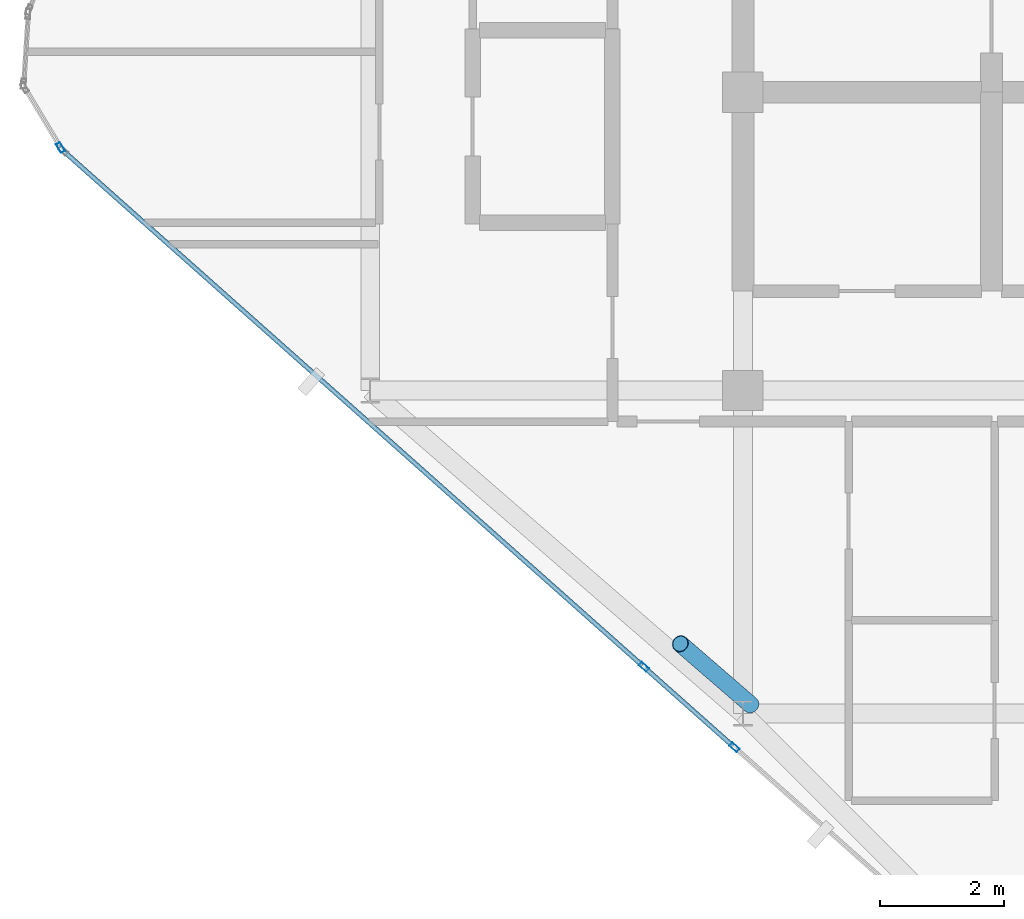
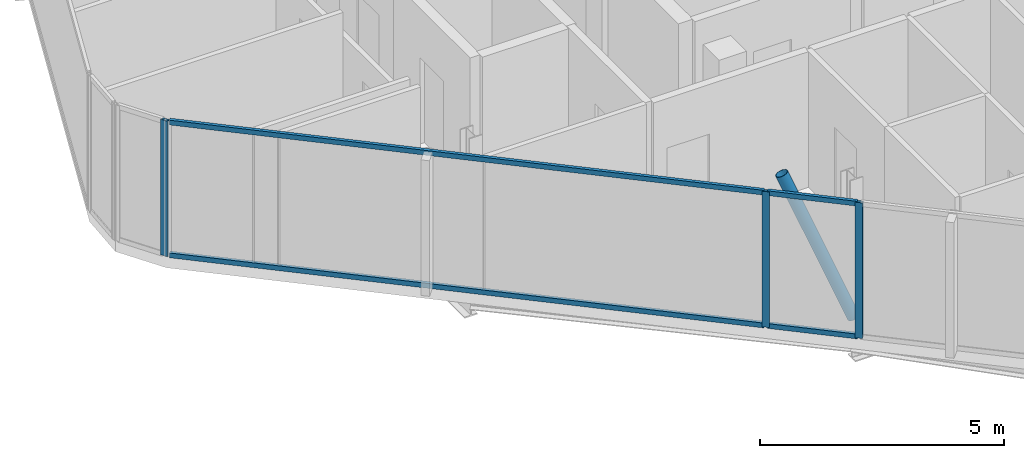
# One storey, part 3 of 28: 8 members, 4 elements without a shape of their own.
"""IFC4 building model written with IfcOpenShell, lengths in metres."""

from ifc_helpers import new_model, si_unit, direction, frame, origin, origin_2d, place, context, subcontext, project, spatial, hollow_rectangle, hollow_circle, extrude, material, layer, layer_set, material_profile, profile_set, type_object, element, aggregate, save


model = new_model("IFC4")

# Units and contexts
model_context = context("Model", 3, precision=1e-05, world=origin(), true_north=direction((0.0, 1.0)))
body_context = subcontext(model_context, "Body", "Model", "MODEL_VIEW")
ifc_project = project(units=[si_unit("LENGTHUNIT", "METRE"), si_unit("AREAUNIT", "SQUARE_METRE"), si_unit("VOLUMEUNIT", "CUBIC_METRE"), si_unit("PLANEANGLEUNIT", "RADIAN"), si_unit("MASSUNIT", "GRAM", prefix="KILO")], contexts=[model_context])

# Site, building, storey
site_placement = place(None, origin())
site = spatial("IfcSite", under=ifc_project, at=site_placement, CompositionType="ELEMENT")
building_placement = place(site_placement, origin())
building = spatial("IfcBuilding", under=site, at=building_placement, Name="Keshet Zoharim Tower", CompositionType="ELEMENT")
storey_placement = place(building_placement, frame((0.0, 0.0, 303.60009765625)))
storey = spatial("IfcBuildingStorey", under=building, at=storey_placement, Name="L76", CompositionType="ELEMENT", Elevation=303.60009765625)

# Curtain wall, member
ifc_material_1 = material(Name="Aluminium 6063-T6", Category="aluminium")
ifc_layer = layer(ifc_material_1, 0.260009765625)
ifc_layer_set = layer_set([ifc_layer], Name="Aluminium 6063-T6")
curtain_wall_type = type_object("IfcCurtainWallType", Name="CW-SYS-06", PredefinedType="NOTDEFINED", material=ifc_layer_set)
curtain_wall_1_placement = place(storey_placement, origin())
curtain_wall_1 = element("IfcCurtainWall", 1, at=curtain_wall_1_placement, inside=storey, type_object=curtain_wall_type, Name="L76 Unitised Curtain Wall 01", PredefinedType="NOTDEFINED")
ifc_material_profile_1 = material_profile(ifc_material_1, hollow_rectangle(XDim=0.074951171875, YDim=0.159912109375, WallThickness=0.00390625, at=origin_2d()), Name="MUL-75x160")
ifc_profile_set_1 = profile_set([ifc_material_profile_1], Name="Aluminium 6063-T6")
member_type_1 = type_object("IfcMemberType", Name="CWM-M15", PredefinedType="MULLION", material=ifc_profile_set_1)
member_1_placement = place(storey_placement, frame((4.016845703125, 21.81005859375, 0.0), z_axis=(0.0, 0.0, 1.0), x_axis=(-0.856826433805, -0.515604947933, 0.0)))
member_1 = element("IfcMember", 2, at=member_1_placement, type_object=member_type_1, Name="CW-06 mullion 1", PredefinedType="MULLION", context=body_context, shape_type="SweptSolid", body=[
    extrude(hollow_rectangle(XDim=0.074951171875, YDim=0.159912109375, WallThickness=0.00390625, at=origin_2d()), origin(), (0.0, 0.0, 1.0), 3.389892578125),
])
aggregate(curtain_wall_1, [member_1])

curtain_wall_2_placement = place(storey_placement, origin())
curtain_wall_2 = element("IfcCurtainWall", 3, at=curtain_wall_2_placement, inside=storey, type_object=curtain_wall_type, Name="L76 Unitised Curtain Wall 16", PredefinedType="NOTDEFINED")
member_2_placement = place(storey_placement, frame((14.863037109375, 12.155029296875, 0.0), z_axis=(0.0, 0.0, 1.0), x_axis=(-0.664362180559, -0.747410792699, 0.0)))
member_2 = element("IfcMember", 4, at=member_2_placement, type_object=member_type_1, Name="CW-06 mullion 2", PredefinedType="MULLION", context=body_context, shape_type="SweptSolid", body=[
    extrude(hollow_rectangle(XDim=0.074951171875, YDim=0.159912109375, WallThickness=0.00390625, at=origin_2d()), origin(), (0.0, 0.0, 1.0), 3.389892578125),
])
aggregate(curtain_wall_2, [member_2])

# Curtain wall, members
curtain_wall_3_placement = place(storey_placement, origin())
curtain_wall_3 = element("IfcCurtainWall", 5, at=curtain_wall_3_placement, inside=storey, type_object=curtain_wall_type, Name="L76 Unitised Curtain Wall 16 Part 2", PredefinedType="NOTDEFINED")
member_3_placement = place(storey_placement, frame((13.40576171875, 13.450439453125, 0.0), z_axis=(0.0, 0.0, 1.0), x_axis=(-0.664338369143, -0.747431957629, 0.0)))
member_3 = element("IfcMember", 6, at=member_3_placement, type_object=member_type_1, Name="CW-06 mullion 2", PredefinedType="MULLION", context=body_context, shape_type="SweptSolid", body=[
    extrude(hollow_rectangle(XDim=0.074951171875, YDim=0.159912109375, WallThickness=0.00390625, at=origin_2d()), origin(), (0.0, 0.0, 1.0), 3.389892578125),
])
ifc_material_profile_2 = material_profile(ifc_material_1, hollow_rectangle(XDim=0.074951171875, YDim=0.1201171875, WallThickness=0.00390625, at=origin_2d()), Name="TRN-75x120")
ifc_profile_set_2 = profile_set([ifc_material_profile_2], Name="Aluminium 6063-T6")
member_type_2 = type_object("IfcMemberType", Name="CWT-T12", PredefinedType="USERDEFINED", material=ifc_profile_set_2)
member_4_placement = place(storey_placement, frame((14.8369140625, 12.178466796875, 0.034912109375), z_axis=(-0.747452318941, 0.664315460387, 0.0), x_axis=(-0.664315460387, -0.747452318941, 0.0)))
member_4 = element("IfcMember", 7, at=member_4_placement, type_object=member_type_2, Name="CW-06 transom 1.1", ObjectType="TRANSOM", PredefinedType="USERDEFINED", context=body_context, shape_type="SweptSolid", body=[
    extrude(hollow_rectangle(XDim=0.074951171875, YDim=0.1201171875, WallThickness=0.00390625, at=origin_2d()), origin(), (0.0, 0.0, 1.0), 1.87939453125),
])
member_5_placement = place(storey_placement, frame((14.8369140625, 12.178466796875, 3.35498046875), z_axis=(-0.747452318941, 0.664315460387, 0.0), x_axis=(-0.664315460387, -0.747452318941, 0.0)))
member_5 = element("IfcMember", 8, at=member_5_placement, type_object=member_type_2, Name="CW-06 transom 1.2", ObjectType="TRANSOM", PredefinedType="USERDEFINED", context=body_context, shape_type="SweptSolid", body=[
    extrude(hollow_rectangle(XDim=0.074951171875, YDim=0.1201171875, WallThickness=0.00390625, at=origin_2d()), origin(), (0.0, 0.0, 1.0), 1.87939453125),
])
aggregate(curtain_wall_3, [member_3, member_4, member_5])

curtain_wall_4_placement = place(storey_placement, origin())
curtain_wall_4 = element("IfcCurtainWall", 9, at=curtain_wall_4_placement, inside=storey, type_object=curtain_wall_type, Name="L76 Unitised Curtain Wall 16 Part 3", PredefinedType="NOTDEFINED")
member_6_placement = place(storey_placement, frame((13.379638671875, 13.4736328125, 0.034912109375), z_axis=(-0.747409318684, 0.66436383883, 0.0), x_axis=(-0.66436383883, -0.747409318684, 0.0)))
member_6 = element("IfcMember", 10, at=member_6_placement, type_object=member_type_2, Name="CW-06 transom 1.1", ObjectType="TRANSOM", PredefinedType="USERDEFINED", context=body_context, shape_type="SweptSolid", body=[
    extrude(hollow_rectangle(XDim=0.074951171875, YDim=0.1201171875, WallThickness=0.00390625, at=origin_2d()), origin(), (0.0, 0.0, 1.0), 12.4326171875),
])
member_7_placement = place(storey_placement, frame((13.379638671875, 13.4736328125, 3.35498046875), z_axis=(-0.747409318684, 0.66436383883, 0.0), x_axis=(-0.66436383883, -0.747409318684, 0.0)))
member_7 = element("IfcMember", 11, at=member_7_placement, type_object=member_type_2, Name="CW-06 transom 1.2", ObjectType="TRANSOM", PredefinedType="USERDEFINED", context=body_context, shape_type="SweptSolid", body=[
    extrude(hollow_rectangle(XDim=0.074951171875, YDim=0.1201171875, WallThickness=0.00390625, at=origin_2d()), origin(), (0.0, 0.0, 1.0), 12.4326171875),
])
aggregate(curtain_wall_4, [member_6, member_7])

# Member
ifc_material_2 = material(Name="Steel S355", Category="steel")
ifc_material_profile_3 = material_profile(ifc_material_2, hollow_circle(Radius=0.136474609375, WallThickness=0.010009765625, at=origin_2d()), Name="CHS273x10")
ifc_profile_set_3 = profile_set([ifc_material_profile_3], Name="Steel S355")
member_type_3 = type_object("IfcMemberType", Name="MB-BR-C273", PredefinedType="BRACE", material=ifc_profile_set_3)
member_8_placement = place(storey_placement, frame((15.1259765625, 12.842041015625, 0.0), z_axis=(-0.305919508672, 0.264888754334, 0.914465528077), x_axis=(-0.654589683411, -0.755984355904, 0.0)))
element("IfcMember", 12, at=member_8_placement, inside=storey, type_object=member_type_3, Name="L76 Perimeter Tube Brace 01", PredefinedType="BRACE", context=body_context, shape_type="SweptSolid", body=[
    extrude(hollow_circle(Radius=0.136474609375, WallThickness=0.010009765625, at=origin_2d()), origin(), (0.0, 0.0, 1.0), 3.70703125),
])

save(model, "model.ifc")
